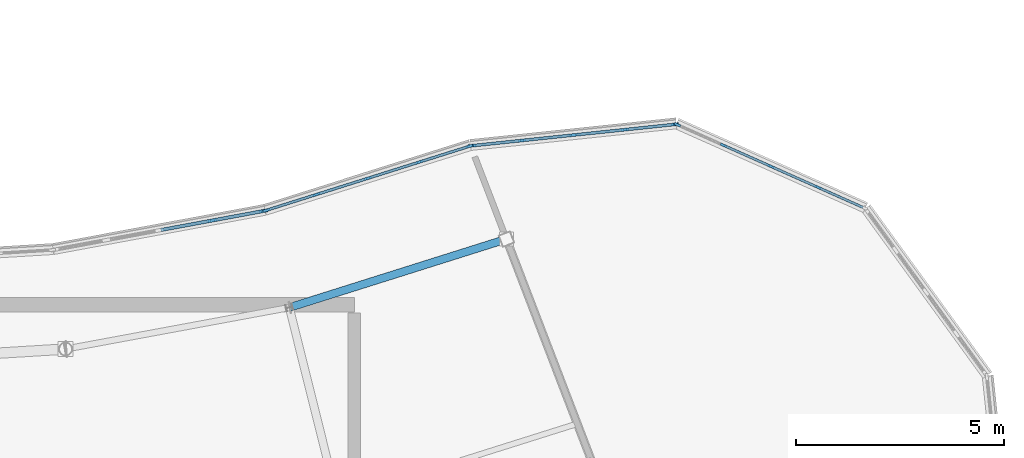
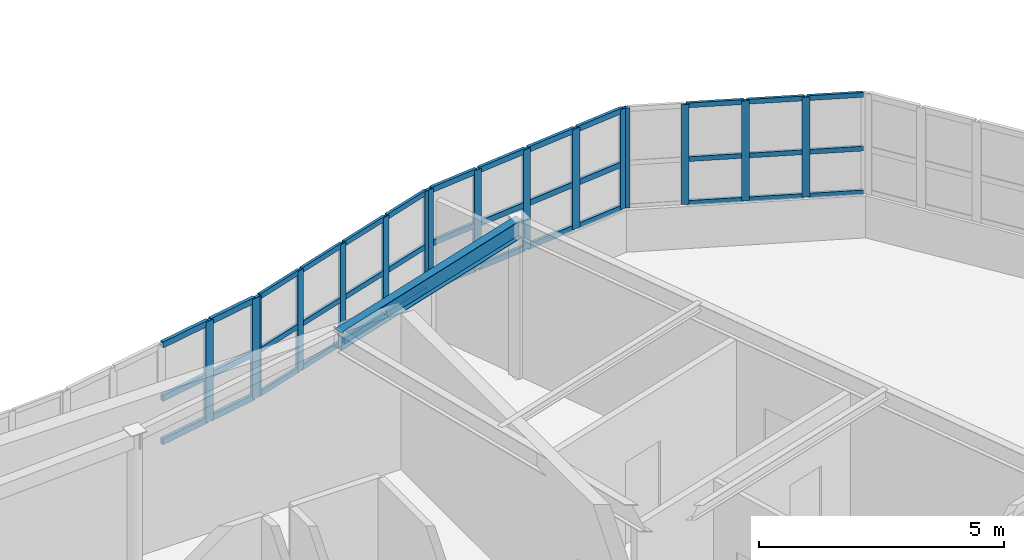
# One storey, part 22 of 60: 55 members, 1 beam, 4 elements without a shape of their own.
"""IFC4 building model written with IfcOpenShell, lengths in metres."""

from ifc_helpers import new_model, si_unit, direction, frame, origin, origin_2d, place, context, subcontext, project, spatial, rectangle, i_section, extrude, material, layer, layer_set, material_profile, profile_set, type_object, element, aggregate, save


model = new_model("IFC4")

# Units and contexts
model_context = context("Model", 3, precision=1e-05, world=origin(), true_north=direction((0.0, 1.0)))
body_context = subcontext(model_context, "Body", "Model", "MODEL_VIEW")
ifc_project = project(units=[si_unit("LENGTHUNIT", "METRE"), si_unit("AREAUNIT", "SQUARE_METRE"), si_unit("VOLUMEUNIT", "CUBIC_METRE"), si_unit("PLANEANGLEUNIT", "RADIAN"), si_unit("MASSUNIT", "GRAM", prefix="KILO")], contexts=[model_context])

# Site, building, storey
site_placement = place(None, origin())
site = spatial("IfcSite", under=ifc_project, at=site_placement, CompositionType="ELEMENT")
building_placement = place(site_placement, origin())
building = spatial("IfcBuilding", under=site, at=building_placement, Name="Tarnwether General Hospital", CompositionType="ELEMENT")
storey_placement = place(building_placement, frame((0.0, 0.0, 26.10009765625)))
storey = spatial("IfcBuildingStorey", under=building, at=storey_placement, Name="L06", CompositionType="ELEMENT", Elevation=26.10009765625)

# Beam
ifc_material_1 = material(Name="Steel Grade 350 (350 MPa)", Category="steel")
ifc_material_profile_1 = material_profile(ifc_material_1, i_section(OverallWidth=0.18994140625, OverallDepth=0.4541015625, WebThickness=0.008544921875, FlangeThickness=0.0126953125, at=origin_2d()), Name="460UB67.1")
ifc_profile_set_1 = profile_set([ifc_material_profile_1], Name="Steel Grade 350 (350 MPa)")
beam_type = type_object("IfcBeamType", Name="BM-SP1", PredefinedType="SPANDREL", material=ifc_profile_set_1)
beam_placement = place(storey_placement, frame((102.837890625, 19.531005859375, 3.6728515625), z_axis=(0.953712084488, 0.300721232874, 0.0), x_axis=(-0.300721232874, 0.953712084488, 0.0)))
element("IfcBeam", 1, at=beam_placement, inside=storey, type_object=beam_type, Name="Curved Ward SE Inner Spandrel BMG-L06-10284_1953-10806_2118-2217", PredefinedType="SPANDREL", context=body_context, shape_type="SweptSolid", body=[
    extrude(i_section(OverallWidth=0.18994140625, OverallDepth=0.4541015625, WebThickness=0.008544921875, FlangeThickness=0.0126953125, at=origin_2d()), origin(), (0.0, 0.0, 1.0), 5.47021484375),
])

# Curtain wall, members
ifc_material_2 = material(Name="Anodised aluminium", Category="aluminium")
ifc_layer = layer(ifc_material_2, 0.159912109375)
ifc_layer_set = layer_set([ifc_layer], Name="Anodised aluminium")
curtain_wall_type = type_object("IfcCurtainWallType", Name="CW-03", PredefinedType="NOTDEFINED", material=ifc_layer_set)
curtain_wall_1_placement = place(storey_placement, origin())
curtain_wall_1 = element("IfcCurtainWall", 2, at=curtain_wall_1_placement, inside=storey, type_object=curtain_wall_type, Name="Curtain Wall CWG-L06-1121_239-0257", PredefinedType="NOTDEFINED")
ifc_material_3 = material(Name="Anodised aluminium", Category="aluminium")
ifc_material_profile_2 = material_profile(ifc_material_3, rectangle(XDim=0.06005859375, YDim=0.159912109375, at=origin_2d()), Name="ALU-MUL-60x160")
ifc_profile_set_2 = profile_set([ifc_material_profile_2], Name="Anodised aluminium")
member_type_1 = type_object("IfcMemberType", Name="CW-ML1", PredefinedType="MULLION", material=ifc_profile_set_2)
member_1_placement = place(storey_placement, frame((112.164306640625, 23.923828125, 1.0498046875), z_axis=(0.0, 0.0, 1.0), x_axis=(0.406847766484, 0.913495974215, 0.0)))
member_1 = element("IfcMember", 3, at=member_1_placement, type_object=member_type_1, Name="CW-03 mullion 1", PredefinedType="MULLION", context=body_context, shape_type="SweptSolid", body=[
    extrude(rectangle(XDim=0.06005859375, YDim=0.159912109375, at=origin_2d()), origin(), (0.0, 0.0, 1.0), 2.4951171875),
])
member_2_placement = place(storey_placement, frame((113.27197265625, 23.430419921875, 1.0498046875), z_axis=(0.0, 0.0, 1.0), x_axis=(0.406847766484, 0.913495974215, 0.0)))
member_2 = element("IfcMember", 4, at=member_2_placement, type_object=member_type_1, Name="CW-03 mullion 2", PredefinedType="MULLION", context=body_context, shape_type="SweptSolid", body=[
    extrude(rectangle(XDim=0.06005859375, YDim=0.159912109375, at=origin_2d()), origin(), (0.0, 0.0, 1.0), 2.4951171875),
])
member_3_placement = place(storey_placement, frame((114.406982421875, 22.925048828125, 1.0498046875), z_axis=(0.0, 0.0, 1.0), x_axis=(0.406847766484, 0.913495974215, 0.0)))
member_3 = element("IfcMember", 5, at=member_3_placement, type_object=member_type_1, Name="CW-03 mullion 3", PredefinedType="MULLION", context=body_context, shape_type="SweptSolid", body=[
    extrude(rectangle(XDim=0.06005859375, YDim=0.159912109375, at=origin_2d()), origin(), (0.0, 0.0, 1.0), 2.4951171875),
])
member_4_placement = place(storey_placement, frame((115.5419921875, 22.41943359375, 1.0498046875), z_axis=(0.0, 0.0, 1.0), x_axis=(0.406847766484, 0.913495974215, 0.0)))
member_4 = element("IfcMember", 6, at=member_4_placement, type_object=member_type_1, Name="CW-03 mullion 4", PredefinedType="MULLION", context=body_context, shape_type="SweptSolid", body=[
    extrude(rectangle(XDim=0.06005859375, YDim=0.159912109375, at=origin_2d()), origin(), (0.0, 0.0, 1.0), 2.4951171875),
])

curtain_wall_2_placement = place(storey_placement, origin())
curtain_wall_2 = element("IfcCurtainWall", 7, at=curtain_wall_2_placement, inside=storey, type_object=curtain_wall_type, Name="Curtain Wall CWG-L06-1072_234-0258", PredefinedType="NOTDEFINED")
ifc_material_4 = material(Name="Anodised aluminium", Category="aluminium")
ifc_material_profile_3 = material_profile(ifc_material_4, rectangle(XDim=0.070068359375, YDim=0.179931640625, at=origin_2d()), Name="ALU-MUL-70x180")
ifc_profile_set_3 = profile_set([ifc_material_profile_3], Name="Anodised aluminium")
member_type_2 = type_object("IfcMemberType", Name="CW-ML2", PredefinedType="MULLION", material=ifc_profile_set_3)
member_5_placement = place(storey_placement, frame((107.229736328125, 23.419677734375, 1.0498046875), z_axis=(0.0, 0.0, 1.0), x_axis=(-0.104642883163, 0.994509862698, 0.0)))
member_5 = element("IfcMember", 8, at=member_5_placement, type_object=member_type_2, Name="CW-03 mullion 1", PredefinedType="MULLION", context=body_context, shape_type="SweptSolid", body=[
    extrude(rectangle(XDim=0.070068359375, YDim=0.179931640625, at=origin_2d()), origin(), (0.0, 0.0, 1.0), 2.4951171875),
])
member_6_placement = place(storey_placement, frame((108.430419921875, 23.5458984375, 1.0498046875), z_axis=(0.0, 0.0, 1.0), x_axis=(-0.104642883163, 0.994509862698, 0.0)))
member_6 = element("IfcMember", 9, at=member_6_placement, type_object=member_type_2, Name="CW-03 mullion 2", PredefinedType="MULLION", context=body_context, shape_type="SweptSolid", body=[
    extrude(rectangle(XDim=0.070068359375, YDim=0.179931640625, at=origin_2d()), origin(), (0.0, 0.0, 1.0), 2.4951171875),
])
member_7_placement = place(storey_placement, frame((109.666015625, 23.676025390625, 1.0498046875), z_axis=(0.0, 0.0, 1.0), x_axis=(-0.104642883163, 0.994509862698, 0.0)))
member_7 = element("IfcMember", 10, at=member_7_placement, type_object=member_type_2, Name="CW-03 mullion 3", PredefinedType="MULLION", context=body_context, shape_type="SweptSolid", body=[
    extrude(rectangle(XDim=0.070068359375, YDim=0.179931640625, at=origin_2d()), origin(), (0.0, 0.0, 1.0), 2.4951171875),
])
member_8_placement = place(storey_placement, frame((110.901611328125, 23.805908203125, 1.0498046875), z_axis=(0.0, 0.0, 1.0), x_axis=(-0.104642883163, 0.994509862698, 0.0)))
member_8 = element("IfcMember", 11, at=member_8_placement, type_object=member_type_2, Name="CW-03 mullion 4", PredefinedType="MULLION", context=body_context, shape_type="SweptSolid", body=[
    extrude(rectangle(XDim=0.070068359375, YDim=0.179931640625, at=origin_2d()), origin(), (0.0, 0.0, 1.0), 2.4951171875),
])
member_9_placement = place(storey_placement, frame((112.102294921875, 23.932373046875, 1.0498046875), z_axis=(0.0, 0.0, 1.0), x_axis=(-0.104642883163, 0.994509862698, 0.0)))
member_9 = element("IfcMember", 12, at=member_9_placement, type_object=member_type_2, Name="CW-03 mullion 5", PredefinedType="MULLION", context=body_context, shape_type="SweptSolid", body=[
    extrude(rectangle(XDim=0.070068359375, YDim=0.179931640625, at=origin_2d()), origin(), (0.0, 0.0, 1.0), 2.4951171875),
])

curtain_wall_3_placement = place(storey_placement, origin())
curtain_wall_3 = element("IfcCurtainWall", 13, at=curtain_wall_3_placement, inside=storey, type_object=curtain_wall_type, Name="Curtain Wall CWG-L06-1023_219-0259", PredefinedType="NOTDEFINED")
ifc_material_5 = material(Name="Anodised aluminium", Category="aluminium")
ifc_material_profile_4 = material_profile(ifc_material_5, rectangle(XDim=0.06494140625, YDim=0.169921875, at=origin_2d()), Name="ALU-MUL-65x170")
ifc_profile_set_4 = profile_set([ifc_material_profile_4], Name="Anodised aluminium")
member_type_3 = type_object("IfcMemberType", Name="CW-ML3", PredefinedType="MULLION", material=ifc_profile_set_4)
member_10_placement = place(storey_placement, frame((102.2880859375, 21.86865234375, 1.0498046875), z_axis=(0.0, 0.0, 1.0), x_axis=(-0.30071538783, 0.953713927508, 0.0)))
member_10 = element("IfcMember", 14, at=member_10_placement, type_object=member_type_3, Name="CW-03 mullion 1", PredefinedType="MULLION", context=body_context, shape_type="SweptSolid", body=[
    extrude(rectangle(XDim=0.06494140625, YDim=0.169921875, at=origin_2d()), origin(), (0.0, 0.0, 1.0), 2.4951171875),
])
member_11_placement = place(storey_placement, frame((103.491455078125, 22.248291015625, 1.0498046875), z_axis=(0.0, 0.0, 1.0), x_axis=(-0.30071538783, 0.953713927508, 0.0)))
member_11 = element("IfcMember", 15, at=member_11_placement, type_object=member_type_3, Name="CW-03 mullion 2", PredefinedType="MULLION", context=body_context, shape_type="SweptSolid", body=[
    extrude(rectangle(XDim=0.06494140625, YDim=0.169921875, at=origin_2d()), origin(), (0.0, 0.0, 1.0), 2.4951171875),
])
member_12_placement = place(storey_placement, frame((104.72607421875, 22.637451171875, 1.0498046875), z_axis=(0.0, 0.0, 1.0), x_axis=(-0.30071538783, 0.953713927508, 0.0)))
member_12 = element("IfcMember", 16, at=member_12_placement, type_object=member_type_3, Name="CW-03 mullion 3", PredefinedType="MULLION", context=body_context, shape_type="SweptSolid", body=[
    extrude(rectangle(XDim=0.06494140625, YDim=0.169921875, at=origin_2d()), origin(), (0.0, 0.0, 1.0), 2.4951171875),
])
member_13_placement = place(storey_placement, frame((105.96044921875, 23.02685546875, 1.0498046875), z_axis=(0.0, 0.0, 1.0), x_axis=(-0.30071538783, 0.953713927508, 0.0)))
member_13 = element("IfcMember", 17, at=member_13_placement, type_object=member_type_3, Name="CW-03 mullion 4", PredefinedType="MULLION", context=body_context, shape_type="SweptSolid", body=[
    extrude(rectangle(XDim=0.06494140625, YDim=0.169921875, at=origin_2d()), origin(), (0.0, 0.0, 1.0), 2.4951171875),
])
member_14_placement = place(storey_placement, frame((107.1640625, 23.40625, 1.0498046875), z_axis=(0.0, 0.0, 1.0), x_axis=(-0.30071538783, 0.953713927508, 0.0)))
member_14 = element("IfcMember", 18, at=member_14_placement, type_object=member_type_3, Name="CW-03 mullion 5", PredefinedType="MULLION", context=body_context, shape_type="SweptSolid", body=[
    extrude(rectangle(XDim=0.06494140625, YDim=0.169921875, at=origin_2d()), origin(), (0.0, 0.0, 1.0), 2.4951171875),
])

curtain_wall_4_placement = place(storey_placement, origin())
curtain_wall_4 = element("IfcCurtainWall", 19, at=curtain_wall_4_placement, inside=storey, type_object=curtain_wall_type, Name="Curtain Wall CWG-L06-972_209-0260", PredefinedType="NOTDEFINED")
ifc_material_6 = material(Name="Anodised aluminium", Category="aluminium")
ifc_material_profile_5 = material_profile(ifc_material_6, rectangle(XDim=0.080078125, YDim=0.199951171875, at=origin_2d()), Name="ALU-MUL-80x200")
ifc_profile_set_5 = profile_set([ifc_material_profile_5], Name="Anodised aluminium")
member_type_4 = type_object("IfcMemberType", Name="CW-ML4", PredefinedType="MULLION", material=ifc_profile_set_5)
member_15_placement = place(storey_placement, frame((100.984619140625, 21.623291015625, 1.0498046875), z_axis=(0.0, 0.0, 1.0), x_axis=(-0.182165351666, 0.983267910924, 0.0)))
member_15 = element("IfcMember", 20, at=member_15_placement, type_object=member_type_4, Name="CW-03 mullion 4", PredefinedType="MULLION", context=body_context, shape_type="SweptSolid", body=[
    extrude(rectangle(XDim=0.080078125, YDim=0.199951171875, at=origin_2d()), origin(), (0.0, 0.0, 1.0), 2.4951171875),
])
member_16_placement = place(storey_placement, frame((102.2177734375, 21.851806640625, 1.0498046875), z_axis=(0.0, 0.0, 1.0), x_axis=(-0.182165351666, 0.983267910924, 0.0)))
member_16 = element("IfcMember", 21, at=member_16_placement, type_object=member_type_4, Name="CW-03 mullion 5", PredefinedType="MULLION", context=body_context, shape_type="SweptSolid", body=[
    extrude(rectangle(XDim=0.080078125, YDim=0.199951171875, at=origin_2d()), origin(), (0.0, 0.0, 1.0), 2.4951171875),
])

# Member
ifc_material_7 = material(Name="Anodised aluminium", Category="aluminium")
ifc_material_profile_6 = material_profile(ifc_material_7, rectangle(XDim=0.06005859375, YDim=0.1201171875, at=origin_2d()), Name="ALU-TRN-60x120")
ifc_profile_set_6 = profile_set([ifc_material_profile_6], Name="Anodised aluminium")
member_type_5 = type_object("IfcMemberType", Name="CW-TR1", PredefinedType="USERDEFINED", material=ifc_profile_set_6)
member_17_placement = place(storey_placement, frame((113.29931640625, 23.418212890625, 1.079833984375), z_axis=(0.913555961752, -0.406713049639, 0.0), x_axis=(0.406713049639, 0.913555961752, 0.0)))
member_17 = element("IfcMember", 22, at=member_17_placement, type_object=member_type_5, Name="CW-03 transom 2.1", ObjectType="TRANSOM", PredefinedType="USERDEFINED", context=body_context, shape_type="SweptSolid", body=[
    extrude(rectangle(XDim=0.06005859375, YDim=0.1201171875, at=origin_2d()), origin(), (0.0, 0.0, 1.0), 1.1826171875),
])

member_18_placement = place(storey_placement, frame((113.29931640625, 23.418212890625, 2.172607421875), z_axis=(0.913555961752, -0.406713049639, 0.0), x_axis=(0.406713049639, 0.913555961752, 0.0)))
member_18 = element("IfcMember", 23, at=member_18_placement, type_object=member_type_5, Name="CW-03 transom 2.2", ObjectType="TRANSOM", PredefinedType="USERDEFINED", context=body_context, shape_type="SweptSolid", body=[
    extrude(rectangle(XDim=0.06005859375, YDim=0.1201171875, at=origin_2d()), origin(), (0.0, 0.0, 1.0), 1.1826171875),
])

member_19_placement = place(storey_placement, frame((113.29931640625, 23.418212890625, 3.514892578125), z_axis=(0.913555961752, -0.406713049639, 0.0), x_axis=(0.406713049639, 0.913555961752, 0.0)))
member_19 = element("IfcMember", 24, at=member_19_placement, type_object=member_type_5, Name="CW-03 transom 2.3", ObjectType="TRANSOM", PredefinedType="USERDEFINED", context=body_context, shape_type="SweptSolid", body=[
    extrude(rectangle(XDim=0.06005859375, YDim=0.1201171875, at=origin_2d()), origin(), (0.0, 0.0, 1.0), 1.1826171875),
])

member_20_placement = place(storey_placement, frame((114.434326171875, 22.912841796875, 1.079833984375), z_axis=(0.913479243156, -0.40688533068, 0.0), x_axis=(0.40688533068, 0.913479243156, 0.0)))
member_20 = element("IfcMember", 25, at=member_20_placement, type_object=member_type_5, Name="CW-03 transom 3.1", ObjectType="TRANSOM", PredefinedType="USERDEFINED", context=body_context, shape_type="SweptSolid", body=[
    extrude(rectangle(XDim=0.06005859375, YDim=0.1201171875, at=origin_2d()), origin(), (0.0, 0.0, 1.0), 1.1826171875),
])

member_21_placement = place(storey_placement, frame((114.434326171875, 22.912841796875, 2.172607421875), z_axis=(0.913479243156, -0.40688533068, 0.0), x_axis=(0.40688533068, 0.913479243156, 0.0)))
member_21 = element("IfcMember", 26, at=member_21_placement, type_object=member_type_5, Name="CW-03 transom 3.2", ObjectType="TRANSOM", PredefinedType="USERDEFINED", context=body_context, shape_type="SweptSolid", body=[
    extrude(rectangle(XDim=0.06005859375, YDim=0.1201171875, at=origin_2d()), origin(), (0.0, 0.0, 1.0), 1.1826171875),
])

member_22_placement = place(storey_placement, frame((114.434326171875, 22.912841796875, 3.514892578125), z_axis=(0.913479243156, -0.40688533068, 0.0), x_axis=(0.40688533068, 0.913479243156, 0.0)))
member_22 = element("IfcMember", 27, at=member_22_placement, type_object=member_type_5, Name="CW-03 transom 3.3", ObjectType="TRANSOM", PredefinedType="USERDEFINED", context=body_context, shape_type="SweptSolid", body=[
    extrude(rectangle(XDim=0.06005859375, YDim=0.1201171875, at=origin_2d()), origin(), (0.0, 0.0, 1.0), 1.1826171875),
])

member_23_placement = place(storey_placement, frame((115.5693359375, 22.4072265625, 1.079833984375), z_axis=(0.913531766909, -0.406767391574, 0.0), x_axis=(0.406767391574, 0.913531766909, 0.0)))
member_23 = element("IfcMember", 28, at=member_23_placement, type_object=member_type_5, Name="CW-03 transom 4.1", ObjectType="TRANSOM", PredefinedType="USERDEFINED", context=body_context, shape_type="SweptSolid", body=[
    extrude(rectangle(XDim=0.06005859375, YDim=0.1201171875, at=origin_2d()), origin(), (0.0, 0.0, 1.0), 1.15234375),
])

member_24_placement = place(storey_placement, frame((115.5693359375, 22.4072265625, 2.172607421875), z_axis=(0.913531766909, -0.406767391574, 0.0), x_axis=(0.406767391574, 0.913531766909, 0.0)))
member_24 = element("IfcMember", 29, at=member_24_placement, type_object=member_type_5, Name="CW-03 transom 4.2", ObjectType="TRANSOM", PredefinedType="USERDEFINED", context=body_context, shape_type="SweptSolid", body=[
    extrude(rectangle(XDim=0.06005859375, YDim=0.1201171875, at=origin_2d()), origin(), (0.0, 0.0, 1.0), 1.15234375),
])

member_25_placement = place(storey_placement, frame((115.5693359375, 22.4072265625, 3.514892578125), z_axis=(0.913531766909, -0.406767391574, 0.0), x_axis=(0.406767391574, 0.913531766909, 0.0)))
member_25 = element("IfcMember", 30, at=member_25_placement, type_object=member_type_5, Name="CW-03 transom 4.3", ObjectType="TRANSOM", PredefinedType="USERDEFINED", context=body_context, shape_type="SweptSolid", body=[
    extrude(rectangle(XDim=0.06005859375, YDim=0.1201171875, at=origin_2d()), origin(), (0.0, 0.0, 1.0), 1.15234375),
])

aggregate(curtain_wall_1, [member_1, member_2, member_3, member_4, member_17, member_18, member_19, member_20, member_21, member_22, member_23, member_24, member_25])

ifc_material_8 = material(Name="Anodised aluminium", Category="aluminium")
ifc_material_profile_7 = material_profile(ifc_material_8, rectangle(XDim=0.070068359375, YDim=0.139892578125, at=origin_2d()), Name="ALU-TRN-70x140")
ifc_profile_set_7 = profile_set([ifc_material_profile_7], Name="Anodised aluminium")
member_type_6 = type_object("IfcMemberType", Name="CW-TR2", PredefinedType="USERDEFINED", material=ifc_profile_set_7)
member_26_placement = place(storey_placement, frame((107.2646484375, 23.42333984375, 1.0849609375), z_axis=(0.994520733176, 0.104539520194, 0.0), x_axis=(-0.104539520194, 0.994520733176, 0.0)))
member_26 = element("IfcMember", 31, at=member_26_placement, type_object=member_type_6, Name="CW-03 transom 1.1", ObjectType="TRANSOM", PredefinedType="USERDEFINED", context=body_context, shape_type="SweptSolid", body=[
    extrude(rectangle(XDim=0.070068359375, YDim=0.139892578125, at=origin_2d()), origin(), (0.0, 0.0, 1.0), 1.137451171875),
])

member_27_placement = place(storey_placement, frame((107.2646484375, 23.42333984375, 2.172607421875), z_axis=(0.994520733176, 0.104539520194, 0.0), x_axis=(-0.104539520194, 0.994520733176, 0.0)))
member_27 = element("IfcMember", 32, at=member_27_placement, type_object=member_type_6, Name="CW-03 transom 1.2", ObjectType="TRANSOM", PredefinedType="USERDEFINED", context=body_context, shape_type="SweptSolid", body=[
    extrude(rectangle(XDim=0.070068359375, YDim=0.139892578125, at=origin_2d()), origin(), (0.0, 0.0, 1.0), 1.137451171875),
])

member_28_placement = place(storey_placement, frame((107.2646484375, 23.42333984375, 3.510009765625), z_axis=(0.994520733176, 0.104539520194, 0.0), x_axis=(-0.104539520194, 0.994520733176, 0.0)))
member_28 = element("IfcMember", 33, at=member_28_placement, type_object=member_type_6, Name="CW-03 transom 1.3", ObjectType="TRANSOM", PredefinedType="USERDEFINED", context=body_context, shape_type="SweptSolid", body=[
    extrude(rectangle(XDim=0.070068359375, YDim=0.139892578125, at=origin_2d()), origin(), (0.0, 0.0, 1.0), 1.137451171875),
])

member_29_placement = place(storey_placement, frame((108.46533203125, 23.549560546875, 1.0849609375), z_axis=(0.994497461521, 0.104760675004, 0.0), x_axis=(-0.104760675004, 0.994497461521, 0.0)))
member_29 = element("IfcMember", 34, at=member_29_placement, type_object=member_type_6, Name="CW-03 transom 2.1", ObjectType="TRANSOM", PredefinedType="USERDEFINED", context=body_context, shape_type="SweptSolid", body=[
    extrude(rectangle(XDim=0.070068359375, YDim=0.139892578125, at=origin_2d()), origin(), (0.0, 0.0, 1.0), 1.172119140625),
])

member_30_placement = place(storey_placement, frame((108.46533203125, 23.549560546875, 2.172607421875), z_axis=(0.994497461521, 0.104760675004, 0.0), x_axis=(-0.104760675004, 0.994497461521, 0.0)))
member_30 = element("IfcMember", 35, at=member_30_placement, type_object=member_type_6, Name="CW-03 transom 2.2", ObjectType="TRANSOM", PredefinedType="USERDEFINED", context=body_context, shape_type="SweptSolid", body=[
    extrude(rectangle(XDim=0.070068359375, YDim=0.139892578125, at=origin_2d()), origin(), (0.0, 0.0, 1.0), 1.172119140625),
])

member_31_placement = place(storey_placement, frame((108.46533203125, 23.549560546875, 3.510009765625), z_axis=(0.994497461521, 0.104760675004, 0.0), x_axis=(-0.104760675004, 0.994497461521, 0.0)))
member_31 = element("IfcMember", 36, at=member_31_placement, type_object=member_type_6, Name="CW-03 transom 2.3", ObjectType="TRANSOM", PredefinedType="USERDEFINED", context=body_context, shape_type="SweptSolid", body=[
    extrude(rectangle(XDim=0.070068359375, YDim=0.139892578125, at=origin_2d()), origin(), (0.0, 0.0, 1.0), 1.172119140625),
])

member_32_placement = place(storey_placement, frame((109.700927734375, 23.6796875, 1.0849609375), z_axis=(0.994519139289, 0.104554682288, 0.0), x_axis=(-0.104554682288, 0.994519139289, 0.0)))
member_32 = element("IfcMember", 37, at=member_32_placement, type_object=member_type_6, Name="CW-03 transom 3.1", ObjectType="TRANSOM", PredefinedType="USERDEFINED", context=body_context, shape_type="SweptSolid", body=[
    extrude(rectangle(XDim=0.070068359375, YDim=0.139892578125, at=origin_2d()), origin(), (0.0, 0.0, 1.0), 1.172119140625),
])

member_33_placement = place(storey_placement, frame((109.700927734375, 23.6796875, 2.172607421875), z_axis=(0.994519139289, 0.104554682288, 0.0), x_axis=(-0.104554682288, 0.994519139289, 0.0)))
member_33 = element("IfcMember", 38, at=member_33_placement, type_object=member_type_6, Name="CW-03 transom 3.2", ObjectType="TRANSOM", PredefinedType="USERDEFINED", context=body_context, shape_type="SweptSolid", body=[
    extrude(rectangle(XDim=0.070068359375, YDim=0.139892578125, at=origin_2d()), origin(), (0.0, 0.0, 1.0), 1.172119140625),
])

member_34_placement = place(storey_placement, frame((109.700927734375, 23.6796875, 3.510009765625), z_axis=(0.994519139289, 0.104554682288, 0.0), x_axis=(-0.104554682288, 0.994519139289, 0.0)))
member_34 = element("IfcMember", 39, at=member_34_placement, type_object=member_type_6, Name="CW-03 transom 3.3", ObjectType="TRANSOM", PredefinedType="USERDEFINED", context=body_context, shape_type="SweptSolid", body=[
    extrude(rectangle(XDim=0.070068359375, YDim=0.139892578125, at=origin_2d()), origin(), (0.0, 0.0, 1.0), 1.172119140625),
])

member_35_placement = place(storey_placement, frame((110.936279296875, 23.8095703125, 1.0849609375), z_axis=(0.994498393498, 0.104751827332, 0.0), x_axis=(-0.104751827332, 0.994498393498, 0.0)))
member_35 = element("IfcMember", 40, at=member_35_placement, type_object=member_type_6, Name="CW-03 transom 4.1", ObjectType="TRANSOM", PredefinedType="USERDEFINED", context=body_context, shape_type="SweptSolid", body=[
    extrude(rectangle(XDim=0.070068359375, YDim=0.139892578125, at=origin_2d()), origin(), (0.0, 0.0, 1.0), 1.137451171875),
])

member_36_placement = place(storey_placement, frame((110.936279296875, 23.8095703125, 2.172607421875), z_axis=(0.994498393498, 0.104751827332, 0.0), x_axis=(-0.104751827332, 0.994498393498, 0.0)))
member_36 = element("IfcMember", 41, at=member_36_placement, type_object=member_type_6, Name="CW-03 transom 4.2", ObjectType="TRANSOM", PredefinedType="USERDEFINED", context=body_context, shape_type="SweptSolid", body=[
    extrude(rectangle(XDim=0.070068359375, YDim=0.139892578125, at=origin_2d()), origin(), (0.0, 0.0, 1.0), 1.137451171875),
])

member_37_placement = place(storey_placement, frame((110.936279296875, 23.8095703125, 3.510009765625), z_axis=(0.994498393498, 0.104751827332, 0.0), x_axis=(-0.104751827332, 0.994498393498, 0.0)))
member_37 = element("IfcMember", 42, at=member_37_placement, type_object=member_type_6, Name="CW-03 transom 4.3", ObjectType="TRANSOM", PredefinedType="USERDEFINED", context=body_context, shape_type="SweptSolid", body=[
    extrude(rectangle(XDim=0.070068359375, YDim=0.139892578125, at=origin_2d()), origin(), (0.0, 0.0, 1.0), 1.137451171875),
])

aggregate(curtain_wall_2, [member_5, member_6, member_7, member_8, member_9, member_26, member_27, member_28, member_29, member_30, member_31, member_32, member_33, member_34, member_35, member_36, member_37])

ifc_material_9 = material(Name="Anodised aluminium", Category="aluminium")
ifc_material_profile_8 = material_profile(ifc_material_9, rectangle(XDim=0.06494140625, YDim=0.1298828125, at=origin_2d()), Name="ALU-TRN-65x130")
ifc_profile_set_8 = profile_set([ifc_material_profile_8], Name="Anodised aluminium")
member_type_7 = type_object("IfcMemberType", Name="CW-TR3", PredefinedType="USERDEFINED", material=ifc_profile_set_8)
member_38_placement = place(storey_placement, frame((102.319091796875, 21.878662109375, 1.08251953125), z_axis=(0.953718228392, 0.300701747305, 0.0), x_axis=(-0.300701747305, 0.953718228392, 0.0)))
member_38 = element("IfcMember", 43, at=member_38_placement, type_object=member_type_7, Name="CW-03 transom 1.1", ObjectType="TRANSOM", PredefinedType="USERDEFINED", context=body_context, shape_type="SweptSolid", body=[
    extrude(rectangle(XDim=0.06494140625, YDim=0.1298828125, at=origin_2d()), origin(), (0.0, 0.0, 1.0), 1.19677734375),
])

member_39_placement = place(storey_placement, frame((102.319091796875, 21.878662109375, 2.172607421875), z_axis=(0.953718228392, 0.300701747305, 0.0), x_axis=(-0.300701747305, 0.953718228392, 0.0)))
member_39 = element("IfcMember", 44, at=member_39_placement, type_object=member_type_7, Name="CW-03 transom 1.2", ObjectType="TRANSOM", PredefinedType="USERDEFINED", context=body_context, shape_type="SweptSolid", body=[
    extrude(rectangle(XDim=0.06494140625, YDim=0.1298828125, at=origin_2d()), origin(), (0.0, 0.0, 1.0), 1.19677734375),
])

member_40_placement = place(storey_placement, frame((102.319091796875, 21.878662109375, 3.512451171875), z_axis=(0.953718228392, 0.300701747305, 0.0), x_axis=(-0.300701747305, 0.953718228392, 0.0)))
member_40 = element("IfcMember", 45, at=member_40_placement, type_object=member_type_7, Name="CW-03 transom 1.3", ObjectType="TRANSOM", PredefinedType="USERDEFINED", context=body_context, shape_type="SweptSolid", body=[
    extrude(rectangle(XDim=0.06494140625, YDim=0.1298828125, at=origin_2d()), origin(), (0.0, 0.0, 1.0), 1.19677734375),
])

member_41_placement = place(storey_placement, frame((103.5224609375, 22.258056640625, 1.08251953125), z_axis=(0.953738593223, 0.300637149727, 0.0), x_axis=(-0.300637149727, 0.953738593223, 0.0)))
member_41 = element("IfcMember", 46, at=member_41_placement, type_object=member_type_7, Name="CW-03 transom 2.1", ObjectType="TRANSOM", PredefinedType="USERDEFINED", context=body_context, shape_type="SweptSolid", body=[
    extrude(rectangle(XDim=0.06494140625, YDim=0.1298828125, at=origin_2d()), origin(), (0.0, 0.0, 1.0), 1.2294921875),
])

member_42_placement = place(storey_placement, frame((103.5224609375, 22.258056640625, 2.172607421875), z_axis=(0.953738593223, 0.300637149727, 0.0), x_axis=(-0.300637149727, 0.953738593223, 0.0)))
member_42 = element("IfcMember", 47, at=member_42_placement, type_object=member_type_7, Name="CW-03 transom 2.2", ObjectType="TRANSOM", PredefinedType="USERDEFINED", context=body_context, shape_type="SweptSolid", body=[
    extrude(rectangle(XDim=0.06494140625, YDim=0.1298828125, at=origin_2d()), origin(), (0.0, 0.0, 1.0), 1.2294921875),
])

member_43_placement = place(storey_placement, frame((103.5224609375, 22.258056640625, 3.512451171875), z_axis=(0.953738593223, 0.300637149727, 0.0), x_axis=(-0.300637149727, 0.953738593223, 0.0)))
member_43 = element("IfcMember", 48, at=member_43_placement, type_object=member_type_7, Name="CW-03 transom 2.3", ObjectType="TRANSOM", PredefinedType="USERDEFINED", context=body_context, shape_type="SweptSolid", body=[
    extrude(rectangle(XDim=0.06494140625, YDim=0.1298828125, at=origin_2d()), origin(), (0.0, 0.0, 1.0), 1.2294921875),
])

member_44_placement = place(storey_placement, frame((104.757080078125, 22.647216796875, 1.08251953125), z_axis=(0.953663670259, 0.300874731454, 0.0), x_axis=(-0.300874731454, 0.953663670259, 0.0)))
member_44 = element("IfcMember", 49, at=member_44_placement, type_object=member_type_7, Name="CW-03 transom 3.1", ObjectType="TRANSOM", PredefinedType="USERDEFINED", context=body_context, shape_type="SweptSolid", body=[
    extrude(rectangle(XDim=0.06494140625, YDim=0.1298828125, at=origin_2d()), origin(), (0.0, 0.0, 1.0), 1.229248046875),
])

member_45_placement = place(storey_placement, frame((104.757080078125, 22.647216796875, 2.172607421875), z_axis=(0.953663670259, 0.300874731454, 0.0), x_axis=(-0.300874731454, 0.953663670259, 0.0)))
member_45 = element("IfcMember", 50, at=member_45_placement, type_object=member_type_7, Name="CW-03 transom 3.2", ObjectType="TRANSOM", PredefinedType="USERDEFINED", context=body_context, shape_type="SweptSolid", body=[
    extrude(rectangle(XDim=0.06494140625, YDim=0.1298828125, at=origin_2d()), origin(), (0.0, 0.0, 1.0), 1.229248046875),
])

member_46_placement = place(storey_placement, frame((104.757080078125, 22.647216796875, 3.512451171875), z_axis=(0.953663670259, 0.300874731454, 0.0), x_axis=(-0.300874731454, 0.953663670259, 0.0)))
member_46 = element("IfcMember", 51, at=member_46_placement, type_object=member_type_7, Name="CW-03 transom 3.3", ObjectType="TRANSOM", PredefinedType="USERDEFINED", context=body_context, shape_type="SweptSolid", body=[
    extrude(rectangle(XDim=0.06494140625, YDim=0.1298828125, at=origin_2d()), origin(), (0.0, 0.0, 1.0), 1.229248046875),
])

member_47_placement = place(storey_placement, frame((105.991455078125, 23.03662109375, 1.08251953125), z_axis=(0.953736669357, 0.300643252915, 0.0), x_axis=(-0.300643252915, 0.953736669357, 0.0)))
member_47 = element("IfcMember", 52, at=member_47_placement, type_object=member_type_7, Name="CW-03 transom 4.1", ObjectType="TRANSOM", PredefinedType="USERDEFINED", context=body_context, shape_type="SweptSolid", body=[
    extrude(rectangle(XDim=0.06494140625, YDim=0.1298828125, at=origin_2d()), origin(), (0.0, 0.0, 1.0), 1.197021484375),
])

member_48_placement = place(storey_placement, frame((105.991455078125, 23.03662109375, 2.172607421875), z_axis=(0.953736669357, 0.300643252915, 0.0), x_axis=(-0.300643252915, 0.953736669357, 0.0)))
member_48 = element("IfcMember", 53, at=member_48_placement, type_object=member_type_7, Name="CW-03 transom 4.2", ObjectType="TRANSOM", PredefinedType="USERDEFINED", context=body_context, shape_type="SweptSolid", body=[
    extrude(rectangle(XDim=0.06494140625, YDim=0.1298828125, at=origin_2d()), origin(), (0.0, 0.0, 1.0), 1.197021484375),
])

member_49_placement = place(storey_placement, frame((105.991455078125, 23.03662109375, 3.512451171875), z_axis=(0.953736669357, 0.300643252915, 0.0), x_axis=(-0.300643252915, 0.953736669357, 0.0)))
member_49 = element("IfcMember", 54, at=member_49_placement, type_object=member_type_7, Name="CW-03 transom 4.3", ObjectType="TRANSOM", PredefinedType="USERDEFINED", context=body_context, shape_type="SweptSolid", body=[
    extrude(rectangle(XDim=0.06494140625, YDim=0.1298828125, at=origin_2d()), origin(), (0.0, 0.0, 1.0), 1.197021484375),
])

aggregate(curtain_wall_3, [member_10, member_11, member_12, member_13, member_14, member_38, member_39, member_40, member_41, member_42, member_43, member_44, member_45, member_46, member_47, member_48, member_49])

ifc_material_10 = material(Name="Anodised aluminium", Category="aluminium")
ifc_material_profile_9 = material_profile(ifc_material_10, rectangle(XDim=0.080078125, YDim=0.14990234375, at=origin_2d()), Name="ALU-TRN-80x150")
ifc_profile_set_9 = profile_set([ifc_material_profile_9], Name="Anodised aluminium")
member_type_8 = type_object("IfcMemberType", Name="CW-TR4", PredefinedType="USERDEFINED", material=ifc_profile_set_9)
member_50_placement = place(storey_placement, frame((99.751220703125, 21.394775390625, 1.08984375), z_axis=(0.983266000374, 0.182175663873, 0.0), x_axis=(-0.182175663873, 0.983266000374, 0.0)))
member_50 = element("IfcMember", 55, at=member_50_placement, type_object=member_type_8, Name="CW-03 transom 3.1", ObjectType="TRANSOM", PredefinedType="USERDEFINED", context=body_context, shape_type="SweptSolid", body=[
    extrude(rectangle(XDim=0.080078125, YDim=0.14990234375, at=origin_2d()), origin(), (0.0, 0.0, 1.0), 1.214111328125),
])

member_51_placement = place(storey_placement, frame((99.751220703125, 21.394775390625, 2.172607421875), z_axis=(0.983266000374, 0.182175663873, 0.0), x_axis=(-0.182175663873, 0.983266000374, 0.0)))
member_51 = element("IfcMember", 56, at=member_51_placement, type_object=member_type_8, Name="CW-03 transom 3.2", ObjectType="TRANSOM", PredefinedType="USERDEFINED", context=body_context, shape_type="SweptSolid", body=[
    extrude(rectangle(XDim=0.080078125, YDim=0.14990234375, at=origin_2d()), origin(), (0.0, 0.0, 1.0), 1.214111328125),
])

member_52_placement = place(storey_placement, frame((99.751220703125, 21.394775390625, 3.5048828125), z_axis=(0.983266000374, 0.182175663873, 0.0), x_axis=(-0.182175663873, 0.983266000374, 0.0)))
member_52 = element("IfcMember", 57, at=member_52_placement, type_object=member_type_8, Name="CW-03 transom 3.3", ObjectType="TRANSOM", PredefinedType="USERDEFINED", context=body_context, shape_type="SweptSolid", body=[
    extrude(rectangle(XDim=0.080078125, YDim=0.14990234375, at=origin_2d()), origin(), (0.0, 0.0, 1.0), 1.214111328125),
])

member_53_placement = place(storey_placement, frame((101.02392578125, 21.630615234375, 1.08984375), z_axis=(0.983265451868, 0.182178624331, 0.0), x_axis=(-0.182178624331, 0.983265451868, 0.0)))
member_53 = element("IfcMember", 58, at=member_53_placement, type_object=member_type_8, Name="CW-03 transom 4.1", ObjectType="TRANSOM", PredefinedType="USERDEFINED", context=body_context, shape_type="SweptSolid", body=[
    extrude(rectangle(XDim=0.080078125, YDim=0.14990234375, at=origin_2d()), origin(), (0.0, 0.0, 1.0), 1.173828125),
])

member_54_placement = place(storey_placement, frame((101.02392578125, 21.630615234375, 2.172607421875), z_axis=(0.983265451868, 0.182178624331, 0.0), x_axis=(-0.182178624331, 0.983265451868, 0.0)))
member_54 = element("IfcMember", 59, at=member_54_placement, type_object=member_type_8, Name="CW-03 transom 4.2", ObjectType="TRANSOM", PredefinedType="USERDEFINED", context=body_context, shape_type="SweptSolid", body=[
    extrude(rectangle(XDim=0.080078125, YDim=0.14990234375, at=origin_2d()), origin(), (0.0, 0.0, 1.0), 1.173828125),
])

member_55_placement = place(storey_placement, frame((101.02392578125, 21.630615234375, 3.5048828125), z_axis=(0.983265451868, 0.182178624331, 0.0), x_axis=(-0.182178624331, 0.983265451868, 0.0)))
member_55 = element("IfcMember", 60, at=member_55_placement, type_object=member_type_8, Name="CW-03 transom 4.3", ObjectType="TRANSOM", PredefinedType="USERDEFINED", context=body_context, shape_type="SweptSolid", body=[
    extrude(rectangle(XDim=0.080078125, YDim=0.14990234375, at=origin_2d()), origin(), (0.0, 0.0, 1.0), 1.173828125),
])

aggregate(curtain_wall_4, [member_15, member_16, member_50, member_51, member_52, member_53, member_54, member_55])

save(model, "model.ifc")
